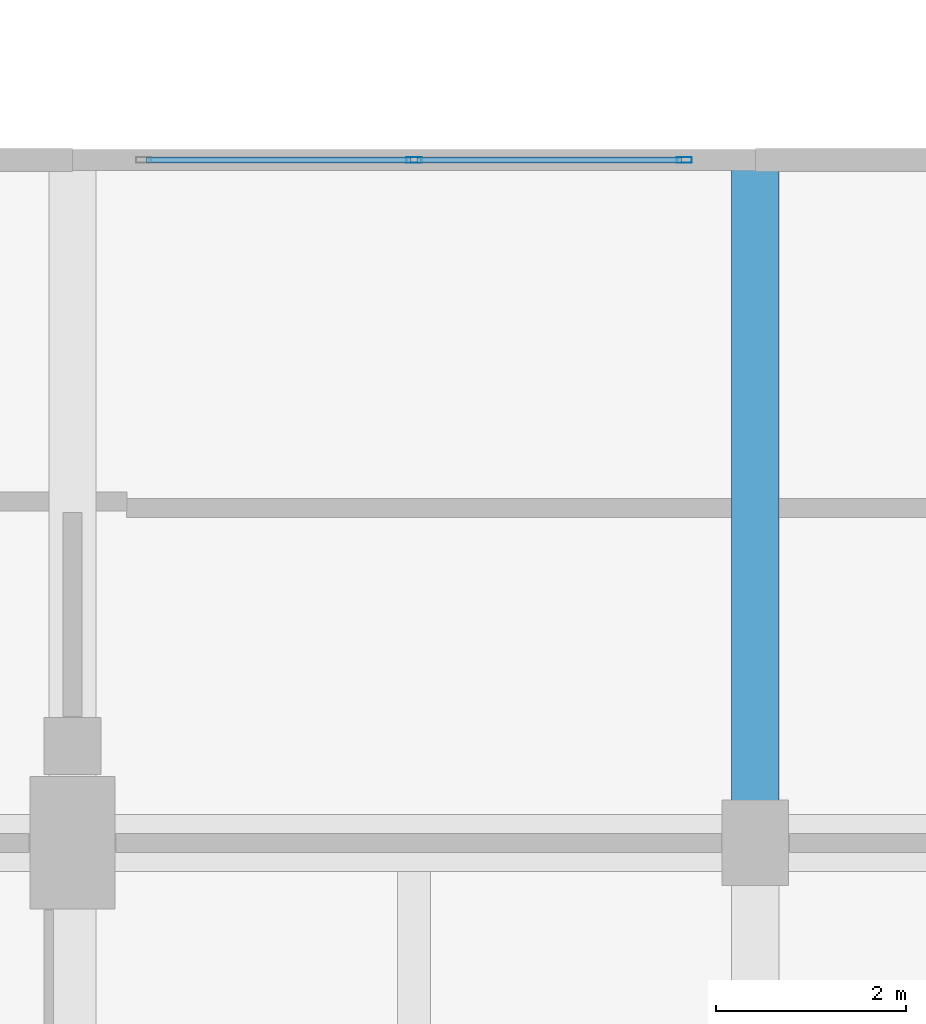
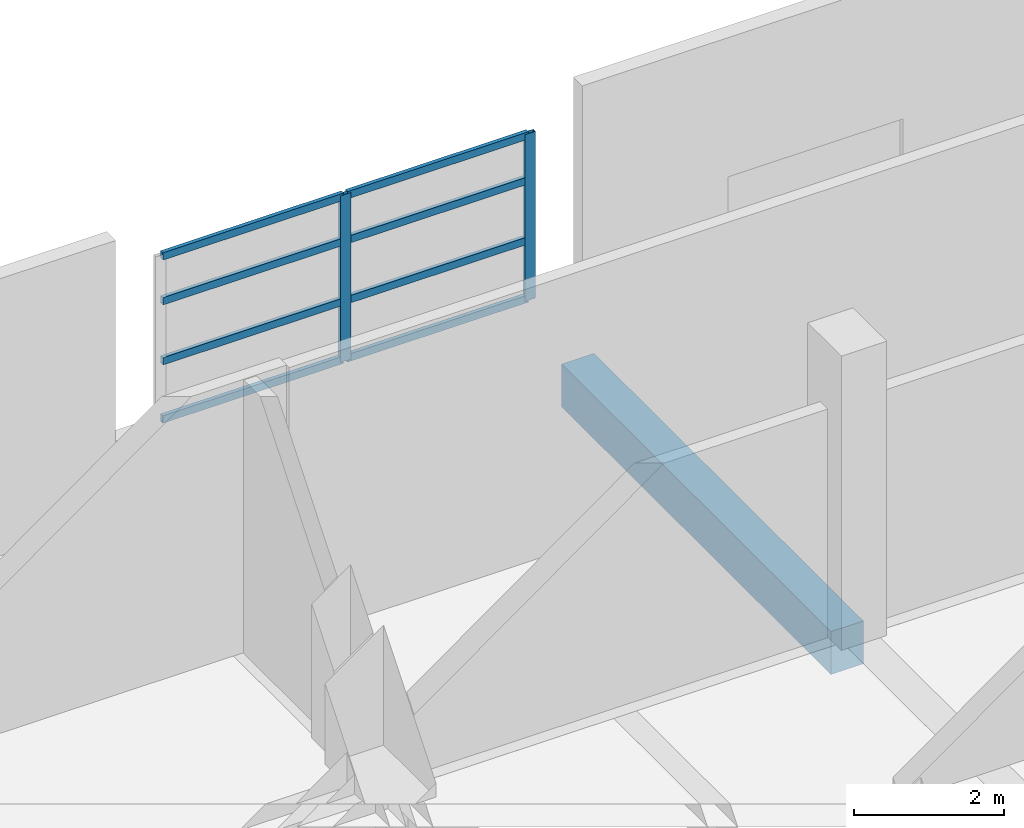
# One storey, part 77 of 181: 10 members, 1 beam, 1 element without a shape of its own.
"""IFC4 building model written with IfcOpenShell, lengths in metres."""

from ifc_helpers import new_model, si_unit, direction, frame, origin, origin_2d, place, context, subcontext, project, spatial, rectangle, hollow_rectangle, extrude, material, layer, layer_set, material_profile, profile_set, type_object, element, aggregate, save


model = new_model("IFC4")

# Units and contexts
model_context = context("Model", 3, precision=1e-05, world=origin(), true_north=direction((0.0, 1.0)))
body_context = subcontext(model_context, "Body", "Model", "MODEL_VIEW")
ifc_project = project(units=[si_unit("LENGTHUNIT", "METRE"), si_unit("AREAUNIT", "SQUARE_METRE"), si_unit("VOLUMEUNIT", "CUBIC_METRE"), si_unit("PLANEANGLEUNIT", "RADIAN"), si_unit("MASSUNIT", "GRAM", prefix="KILO")], contexts=[model_context])

# Site, building, storey
site_placement = place(None, origin())
site = spatial("IfcSite", under=ifc_project, at=site_placement, CompositionType="ELEMENT")
building_placement = place(site_placement, origin())
building = spatial("IfcBuilding", under=site, at=building_placement, Name="Seraya Terrace Polytechnic", CompositionType="ELEMENT")
storey_placement = place(building_placement, frame((0.0, 0.0, 4.800048828125)))
storey = spatial("IfcBuildingStorey", under=building, at=storey_placement, Name="L01", CompositionType="ELEMENT", Elevation=4.800048828125)

# Beam
ifc_material_1 = material(Name="Concrete C40/50", Category="concrete")
ifc_material_profile_1 = material_profile(ifc_material_1, rectangle(XDim=0.5, YDim=0.699951171875, at=origin_2d()), Name="RC 500x700")
ifc_profile_set_1 = profile_set([ifc_material_profile_1], Name="Concrete C40/50")
beam_type = type_object("IfcBeamType", Name="BM-07", PredefinedType="BEAM", material=ifc_profile_set_1)
beam_placement = place(storey_placement, frame((50.39990234375, 79.199951171875, -0.35009765625), z_axis=(0.0, 1.0, 0.0), x_axis=(-1.0, 0.0, 0.0)))
element("IfcBeam", 1, at=beam_placement, inside=storey, type_object=beam_type, Name="Beam BM-07 L01 Y (50.4, 79.2..86.4)", PredefinedType="BEAM", context=body_context, shape_type="SweptSolid", body=[
    extrude(rectangle(XDim=0.5, YDim=0.699951171875, at=origin_2d()), origin(), (0.0, 0.0, 1.0), 7.199951171875),
])

# Curtain wall, members
ifc_material_2 = material(Name="Anodised aluminium EN AW-6063 T6", Category="aluminium")
ifc_layer = layer(ifc_material_2, 0.179931640625, Name="CW-11")
ifc_layer_set = layer_set([ifc_layer], Name="Anodised aluminium EN AW-6063 T6")
curtain_wall_type = type_object("IfcCurtainWallType", Name="CW-11", PredefinedType="NOTDEFINED", material=ifc_layer_set)
curtain_wall_placement = place(storey_placement, origin())
curtain_wall = element("IfcCurtainWall", 2, at=curtain_wall_placement, inside=storey, type_object=curtain_wall_type, Name="Unitised curtain wall CW-11 (CW-L01-011)", PredefinedType="NOTDEFINED")
ifc_material_profile_2 = material_profile(ifc_material_2, hollow_rectangle(XDim=0.06005859375, YDim=0.159912109375, WallThickness=0.00341796875, at=origin_2d()), Name="RHS 160x60x3.5")
ifc_profile_set_2 = profile_set([ifc_material_profile_2], Name="Anodised aluminium EN AW-6063 T6")
member_type_1 = type_object("IfcMemberType", Name="CWM-02", PredefinedType="MULLION", material=ifc_profile_set_2)
member_1_placement = place(storey_placement, frame((46.800048828125, 86.39990234375, 1.239990234375), z_axis=(0.0, 0.0, 1.0), x_axis=(0.0, 1.0, 0.0)))
member_1 = element("IfcMember", 3, at=member_1_placement, type_object=member_type_1, Name="CW-11 mullion 2", PredefinedType="MULLION", context=body_context, shape_type="SweptSolid", body=[
    extrude(hollow_rectangle(XDim=0.06005859375, YDim=0.159912109375, WallThickness=0.00341796875, at=origin_2d()), origin(), (0.0, 0.0, 1.0), 2.719970703125),
])
member_2_placement = place(storey_placement, frame((49.64990234375, 86.39990234375, 1.239990234375), z_axis=(0.0, 0.0, 1.0), x_axis=(0.0, 1.0, 0.0)))
member_2 = element("IfcMember", 4, at=member_2_placement, type_object=member_type_1, Name="CW-11 mullion 3", PredefinedType="MULLION", context=body_context, shape_type="SweptSolid", body=[
    extrude(hollow_rectangle(XDim=0.06005859375, YDim=0.159912109375, WallThickness=0.00341796875, at=origin_2d()), origin(), (0.0, 0.0, 1.0), 2.719970703125),
])
ifc_material_profile_3 = material_profile(ifc_material_2, hollow_rectangle(XDim=0.06005859375, YDim=0.1201171875, WallThickness=0.003173828125, at=origin_2d()), Name="RHS 120x60x3.2")
ifc_profile_set_3 = profile_set([ifc_material_profile_3], Name="Anodised aluminium EN AW-6063 T6")
member_type_2 = type_object("IfcMemberType", Name="CWT-02", PredefinedType="USERDEFINED", material=ifc_profile_set_3)
member_3_placement = place(storey_placement, frame((43.97998046875, 86.39990234375, 1.27001953125), z_axis=(1.0, 0.0, 0.0), x_axis=(0.0, 1.0, 0.0)))
member_3 = element("IfcMember", 5, at=member_3_placement, type_object=member_type_2, Name="CW-11 transom 1.1", ObjectType="TRANSOM", PredefinedType="USERDEFINED", context=body_context, shape_type="SweptSolid", body=[
    extrude(hollow_rectangle(XDim=0.06005859375, YDim=0.1201171875, WallThickness=0.003173828125, at=origin_2d()), origin(), (0.0, 0.0, 1.0), 2.7900390625),
])
member_4_placement = place(storey_placement, frame((43.97998046875, 86.39990234375, 2.21923828125), z_axis=(1.0, 0.0, 0.0), x_axis=(0.0, 1.0, 0.0)))
member_4 = element("IfcMember", 6, at=member_4_placement, type_object=member_type_2, Name="CW-11 transom 1.2", ObjectType="TRANSOM", PredefinedType="USERDEFINED", context=body_context, shape_type="SweptSolid", body=[
    extrude(hollow_rectangle(XDim=0.06005859375, YDim=0.1201171875, WallThickness=0.003173828125, at=origin_2d()), origin(), (0.0, 0.0, 1.0), 2.7900390625),
])
member_5_placement = place(storey_placement, frame((43.97998046875, 86.39990234375, 3.1982421875), z_axis=(1.0, 0.0, 0.0), x_axis=(0.0, 1.0, 0.0)))
member_5 = element("IfcMember", 7, at=member_5_placement, type_object=member_type_2, Name="CW-11 transom 1.3", ObjectType="TRANSOM", PredefinedType="USERDEFINED", context=body_context, shape_type="SweptSolid", body=[
    extrude(hollow_rectangle(XDim=0.06005859375, YDim=0.1201171875, WallThickness=0.003173828125, at=origin_2d()), origin(), (0.0, 0.0, 1.0), 2.7900390625),
])
member_6_placement = place(storey_placement, frame((43.97998046875, 86.39990234375, 3.929931640625), z_axis=(1.0, 0.0, 0.0), x_axis=(0.0, 1.0, 0.0)))
member_6 = element("IfcMember", 8, at=member_6_placement, type_object=member_type_2, Name="CW-11 transom 1.4", ObjectType="TRANSOM", PredefinedType="USERDEFINED", context=body_context, shape_type="SweptSolid", body=[
    extrude(hollow_rectangle(XDim=0.06005859375, YDim=0.1201171875, WallThickness=0.003173828125, at=origin_2d()), origin(), (0.0, 0.0, 1.0), 2.7900390625),
])
member_7_placement = place(storey_placement, frame((46.830078125, 86.39990234375, 1.27001953125), z_axis=(1.0, 0.0, 0.0), x_axis=(0.0, 1.0, 0.0)))
member_7 = element("IfcMember", 9, at=member_7_placement, type_object=member_type_2, Name="CW-11 transom 2.1", ObjectType="TRANSOM", PredefinedType="USERDEFINED", context=body_context, shape_type="SweptSolid", body=[
    extrude(hollow_rectangle(XDim=0.06005859375, YDim=0.1201171875, WallThickness=0.003173828125, at=origin_2d()), origin(), (0.0, 0.0, 1.0), 2.7900390625),
])
member_8_placement = place(storey_placement, frame((46.830078125, 86.39990234375, 2.21923828125), z_axis=(1.0, 0.0, 0.0), x_axis=(0.0, 1.0, 0.0)))
member_8 = element("IfcMember", 10, at=member_8_placement, type_object=member_type_2, Name="CW-11 transom 2.2", ObjectType="TRANSOM", PredefinedType="USERDEFINED", context=body_context, shape_type="SweptSolid", body=[
    extrude(hollow_rectangle(XDim=0.06005859375, YDim=0.1201171875, WallThickness=0.003173828125, at=origin_2d()), origin(), (0.0, 0.0, 1.0), 2.7900390625),
])
member_9_placement = place(storey_placement, frame((46.830078125, 86.39990234375, 3.1982421875), z_axis=(1.0, 0.0, 0.0), x_axis=(0.0, 1.0, 0.0)))
member_9 = element("IfcMember", 11, at=member_9_placement, type_object=member_type_2, Name="CW-11 transom 2.3", ObjectType="TRANSOM", PredefinedType="USERDEFINED", context=body_context, shape_type="SweptSolid", body=[
    extrude(hollow_rectangle(XDim=0.06005859375, YDim=0.1201171875, WallThickness=0.003173828125, at=origin_2d()), origin(), (0.0, 0.0, 1.0), 2.7900390625),
])
member_10_placement = place(storey_placement, frame((46.830078125, 86.39990234375, 3.929931640625), z_axis=(1.0, 0.0, 0.0), x_axis=(0.0, 1.0, 0.0)))
member_10 = element("IfcMember", 12, at=member_10_placement, type_object=member_type_2, Name="CW-11 transom 2.4", ObjectType="TRANSOM", PredefinedType="USERDEFINED", context=body_context, shape_type="SweptSolid", body=[
    extrude(hollow_rectangle(XDim=0.06005859375, YDim=0.1201171875, WallThickness=0.003173828125, at=origin_2d()), origin(), (0.0, 0.0, 1.0), 2.7900390625),
])
aggregate(curtain_wall, [member_1, member_2, member_3, member_4, member_5, member_6, member_7, member_8, member_9, member_10])

save(model, "model.ifc")
